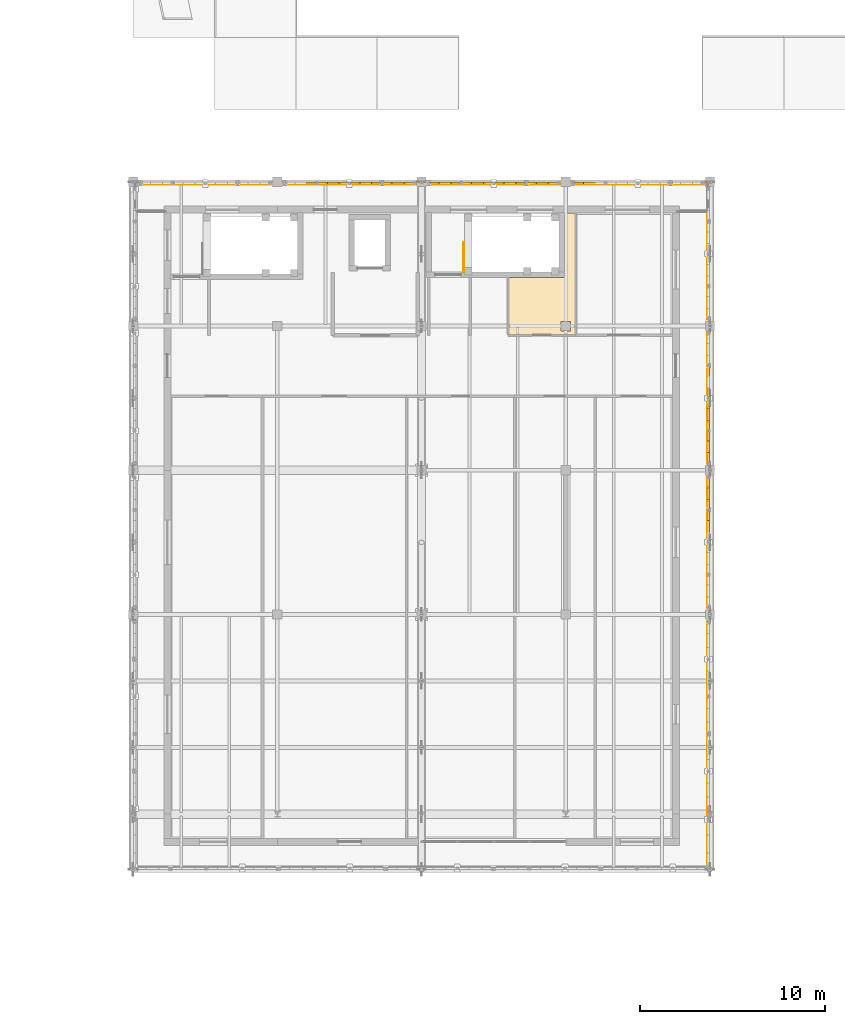
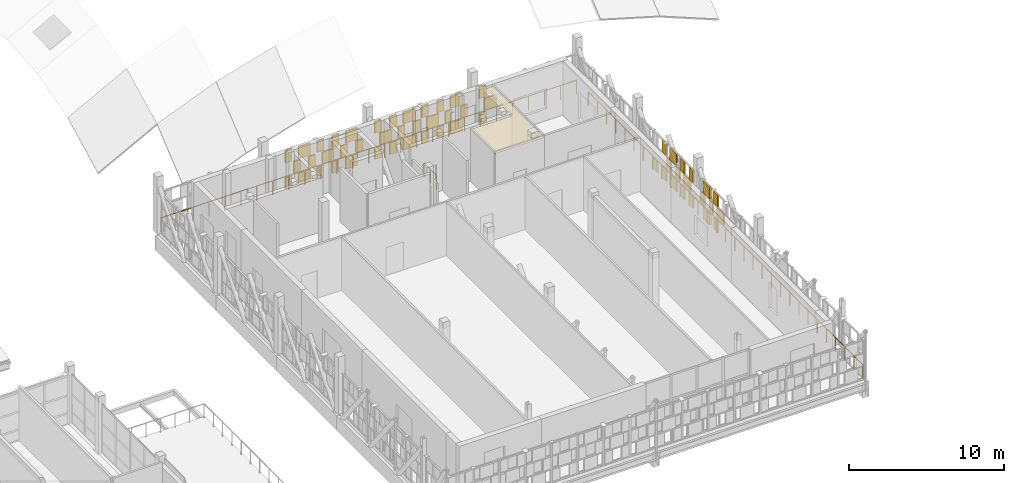
# One storey, part 80 of 89: 56 coverings, 3 railings.
"""IFC4 building model written with IfcOpenShell, lengths in metres."""

from ifc_helpers import new_model, si_unit, direction, frame, origin, origin_2d, place, context, subcontext, project, spatial, polyline, rectangle, circle, outline, extrude, material, layer, layer_set, type_object, element, save


model = new_model("IFC4")

# Units and contexts
model_context = context("Model", 3, precision=1e-05, world=origin(), true_north=direction((0.0, 1.0)))
body_context = subcontext(model_context, "Body", "Model", "MODEL_VIEW")
ifc_project = project(units=[si_unit("LENGTHUNIT", "METRE"), si_unit("AREAUNIT", "SQUARE_METRE"), si_unit("VOLUMEUNIT", "CUBIC_METRE"), si_unit("PLANEANGLEUNIT", "RADIAN"), si_unit("MASSUNIT", "GRAM", prefix="KILO")], contexts=[model_context])

# Site, building, storey
site_placement = place(None, origin())
site = spatial("IfcSite", under=ifc_project, at=site_placement, CompositionType="ELEMENT")
building_placement = place(site_placement, origin())
building = spatial("IfcBuilding", under=site, at=building_placement, Name="Celorna Specialist Clinic", CompositionType="ELEMENT")
storey_placement = place(building_placement, frame((0.0, 0.0, 14.10009765625)))
storey = spatial("IfcBuildingStorey", under=building, at=storey_placement, Name="L03", CompositionType="ELEMENT", Elevation=14.10009765625)

# Railings
ifc_material_1 = material(Name="Stainless steel and laminated glass balustrade", Category="steel")
railing_type_1 = type_object("IfcRailingType", Name="BL-01", PredefinedType="BALUSTRADE", material=ifc_material_1)
railing_1_placement = place(storey_placement, frame((85.679931640625, 41.280029296875, 0.0)))
element("IfcRailing", 1, at=railing_1_placement, inside=storey, type_object=railing_type_1, Name="Research Wing Cantilever Veranda L03 perimeter balustrade 7", PredefinedType="BALUSTRADE", context=body_context, shape_type="SweptSolid", body=[
    extrude(circle(Radius=0.02392578125, at=origin_2d()), frame((0.0, 0.0, 1.09619140625), z_axis=(0.0, -1.0, 0.0), x_axis=(1.0, 0.0, 0.0)), (0.0, 0.0, 1.0), 35.4599609375),
    extrude(circle(Radius=0.02099609375, at=origin_2d()), origin(), (0.0, 0.0, 1.0), 1.072021484375),
    extrude(circle(Radius=0.02099609375, at=origin_2d()), frame((0.0, -1.181884765625, 0.0)), (0.0, 0.0, 1.0), 1.072021484375),
    extrude(circle(Radius=0.02099609375, at=origin_2d()), frame((0.0, -2.364013671875, 0.0)), (0.0, 0.0, 1.0), 1.072021484375),
    extrude(circle(Radius=0.02099609375, at=origin_2d()), frame((0.0, -3.5458984375, 0.0)), (0.0, 0.0, 1.0), 1.072021484375),
    extrude(circle(Radius=0.02099609375, at=origin_2d()), frame((0.0, -4.72802734375, 0.0)), (0.0, 0.0, 1.0), 1.072021484375),
    extrude(circle(Radius=0.02099609375, at=origin_2d()), frame((0.0, -5.909912109375, 0.0)), (0.0, 0.0, 1.0), 1.072021484375),
    extrude(circle(Radius=0.02099609375, at=origin_2d()), frame((0.0, -7.092041015625, 0.0)), (0.0, 0.0, 1.0), 1.072021484375),
    extrude(circle(Radius=0.02099609375, at=origin_2d()), frame((0.0, -8.27392578125, 0.0)), (0.0, 0.0, 1.0), 1.072021484375),
    extrude(circle(Radius=0.02099609375, at=origin_2d()), frame((0.0, -9.4560546875, 0.0)), (0.0, 0.0, 1.0), 1.072021484375),
    extrude(circle(Radius=0.02099609375, at=origin_2d()), frame((0.0, -10.637939453125, 0.0)), (0.0, 0.0, 1.0), 1.072021484375),
    extrude(circle(Radius=0.02099609375, at=origin_2d()), frame((0.0, -11.820068359375, 0.0)), (0.0, 0.0, 1.0), 1.072021484375),
    extrude(circle(Radius=0.02099609375, at=origin_2d()), frame((0.0, -13.001953125, 0.0)), (0.0, 0.0, 1.0), 1.072021484375),
    extrude(circle(Radius=0.02099609375, at=origin_2d()), frame((0.0, -14.18408203125, 0.0)), (0.0, 0.0, 1.0), 1.072021484375),
    extrude(circle(Radius=0.02099609375, at=origin_2d()), frame((0.0, -15.365966796875, 0.0)), (0.0, 0.0, 1.0), 1.072021484375),
    extrude(circle(Radius=0.02099609375, at=origin_2d()), frame((0.0, -16.548095703125, 0.0)), (0.0, 0.0, 1.0), 1.072021484375),
    extrude(circle(Radius=0.02099609375, at=origin_2d()), frame((0.0, -17.72998046875, 0.0)), (0.0, 0.0, 1.0), 1.072021484375),
    extrude(circle(Radius=0.02099609375, at=origin_2d()), frame((0.0, -18.911865234375, 0.0)), (0.0, 0.0, 1.0), 1.072021484375),
    extrude(circle(Radius=0.02099609375, at=origin_2d()), frame((0.0, -20.093994140625, 0.0)), (0.0, 0.0, 1.0), 1.072021484375),
    extrude(circle(Radius=0.02099609375, at=origin_2d()), frame((0.0, -21.27587890625, 0.0)), (0.0, 0.0, 1.0), 1.072021484375),
    extrude(circle(Radius=0.02099609375, at=origin_2d()), frame((0.0, -22.4580078125, 0.0)), (0.0, 0.0, 1.0), 1.072021484375),
    extrude(circle(Radius=0.02099609375, at=origin_2d()), frame((0.0, -23.639892578125, 0.0)), (0.0, 0.0, 1.0), 1.072021484375),
    extrude(circle(Radius=0.02099609375, at=origin_2d()), frame((0.0, -24.822021484375, 0.0)), (0.0, 0.0, 1.0), 1.072021484375),
    extrude(circle(Radius=0.02099609375, at=origin_2d()), frame((0.0, -26.00390625, 0.0)), (0.0, 0.0, 1.0), 1.072021484375),
    extrude(circle(Radius=0.02099609375, at=origin_2d()), frame((0.0, -27.18603515625, 0.0)), (0.0, 0.0, 1.0), 1.072021484375),
    extrude(circle(Radius=0.02099609375, at=origin_2d()), frame((0.0, -28.367919921875, 0.0)), (0.0, 0.0, 1.0), 1.072021484375),
    extrude(circle(Radius=0.02099609375, at=origin_2d()), frame((0.0, -29.550048828125, 0.0)), (0.0, 0.0, 1.0), 1.072021484375),
    extrude(circle(Radius=0.02099609375, at=origin_2d()), frame((0.0, -30.73193359375, 0.0)), (0.0, 0.0, 1.0), 1.072021484375),
    extrude(circle(Radius=0.02099609375, at=origin_2d()), frame((0.0, -31.9140625, 0.0)), (0.0, 0.0, 1.0), 1.072021484375),
    extrude(circle(Radius=0.02099609375, at=origin_2d()), frame((0.0, -33.095947265625, 0.0)), (0.0, 0.0, 1.0), 1.072021484375),
    extrude(circle(Radius=0.02099609375, at=origin_2d()), frame((0.0, -34.278076171875, 0.0)), (0.0, 0.0, 1.0), 1.072021484375),
    extrude(circle(Radius=0.02099609375, at=origin_2d()), frame((0.0, -35.4599609375, 0.0)), (0.0, 0.0, 1.0), 1.072021484375),
])
railing_2_placement = place(storey_placement, frame((54.719970703125, 42.780029296875, 0.0)))
element("IfcRailing", 2, at=railing_2_placement, inside=storey, type_object=railing_type_1, Name="Research Wing North Court Veranda L03 perimeter balustrade 2", PredefinedType="BALUSTRADE", context=body_context, shape_type="SweptSolid", body=[
    extrude(circle(Radius=0.02392578125, at=origin_2d()), frame((0.0, 0.0, 1.09619140625), z_axis=(1.0, 0.0, 0.0), x_axis=(0.0, 1.0, 0.0)), (0.0, 0.0, 1.0), 30.9599609375),
    extrude(circle(Radius=0.02099609375, at=origin_2d()), origin(), (0.0, 0.0, 1.0), 1.072021484375),
    extrude(circle(Radius=0.02099609375, at=origin_2d()), frame((1.190673828125, 0.0, 0.0)), (0.0, 0.0, 1.0), 1.072021484375),
    extrude(circle(Radius=0.02099609375, at=origin_2d()), frame((2.381591796875, 0.0, 0.0)), (0.0, 0.0, 1.0), 1.072021484375),
    extrude(circle(Radius=0.02099609375, at=origin_2d()), frame((3.572265625, 0.0, 0.0)), (0.0, 0.0, 1.0), 1.072021484375),
    extrude(circle(Radius=0.02099609375, at=origin_2d()), frame((4.76318359375, 0.0, 0.0)), (0.0, 0.0, 1.0), 1.072021484375),
    extrude(circle(Radius=0.02099609375, at=origin_2d()), frame((5.953857421875, 0.0, 0.0)), (0.0, 0.0, 1.0), 1.072021484375),
    extrude(circle(Radius=0.02099609375, at=origin_2d()), frame((7.14453125, 0.0, 0.0)), (0.0, 0.0, 1.0), 1.072021484375),
    extrude(circle(Radius=0.02099609375, at=origin_2d()), frame((8.33544921875, 0.0, 0.0)), (0.0, 0.0, 1.0), 1.072021484375),
    extrude(circle(Radius=0.02099609375, at=origin_2d()), frame((9.526123046875, 0.0, 0.0)), (0.0, 0.0, 1.0), 1.072021484375),
    extrude(circle(Radius=0.02099609375, at=origin_2d()), frame((10.716796875, 0.0, 0.0)), (0.0, 0.0, 1.0), 1.072021484375),
    extrude(circle(Radius=0.02099609375, at=origin_2d()), frame((11.90771484375, 0.0, 0.0)), (0.0, 0.0, 1.0), 1.072021484375),
    extrude(circle(Radius=0.02099609375, at=origin_2d()), frame((13.098388671875, 0.0, 0.0)), (0.0, 0.0, 1.0), 1.072021484375),
    extrude(circle(Radius=0.02099609375, at=origin_2d()), frame((14.289306640625, 0.0, 0.0)), (0.0, 0.0, 1.0), 1.072021484375),
    extrude(circle(Radius=0.02099609375, at=origin_2d()), frame((15.47998046875, 0.0, 0.0)), (0.0, 0.0, 1.0), 1.072021484375),
    extrude(circle(Radius=0.02099609375, at=origin_2d()), frame((16.670654296875, 0.0, 0.0)), (0.0, 0.0, 1.0), 1.072021484375),
    extrude(circle(Radius=0.02099609375, at=origin_2d()), frame((17.861572265625, 0.0, 0.0)), (0.0, 0.0, 1.0), 1.072021484375),
    extrude(circle(Radius=0.02099609375, at=origin_2d()), frame((19.05224609375, 0.0, 0.0)), (0.0, 0.0, 1.0), 1.072021484375),
    extrude(circle(Radius=0.02099609375, at=origin_2d()), frame((20.2431640625, 0.0, 0.0)), (0.0, 0.0, 1.0), 1.072021484375),
    extrude(circle(Radius=0.02099609375, at=origin_2d()), frame((21.433837890625, 0.0, 0.0)), (0.0, 0.0, 1.0), 1.072021484375),
    extrude(circle(Radius=0.02099609375, at=origin_2d()), frame((22.62451171875, 0.0, 0.0)), (0.0, 0.0, 1.0), 1.072021484375),
    extrude(circle(Radius=0.02099609375, at=origin_2d()), frame((23.8154296875, 0.0, 0.0)), (0.0, 0.0, 1.0), 1.072021484375),
    extrude(circle(Radius=0.02099609375, at=origin_2d()), frame((25.006103515625, 0.0, 0.0)), (0.0, 0.0, 1.0), 1.072021484375),
    extrude(circle(Radius=0.02099609375, at=origin_2d()), frame((26.19677734375, 0.0, 0.0)), (0.0, 0.0, 1.0), 1.072021484375),
    extrude(circle(Radius=0.02099609375, at=origin_2d()), frame((27.3876953125, 0.0, 0.0)), (0.0, 0.0, 1.0), 1.072021484375),
    extrude(circle(Radius=0.02099609375, at=origin_2d()), frame((28.578369140625, 0.0, 0.0)), (0.0, 0.0, 1.0), 1.072021484375),
    extrude(circle(Radius=0.02099609375, at=origin_2d()), frame((29.769287109375, 0.0, 0.0)), (0.0, 0.0, 1.0), 1.072021484375),
    extrude(circle(Radius=0.02099609375, at=origin_2d()), frame((30.9599609375, 0.0, 0.0)), (0.0, 0.0, 1.0), 1.072021484375),
])

# Coverings
ifc_material_2 = material(Name="Hygienic acoustic mineral-fibre ceiling")
ifc_layer_1 = layer(ifc_material_2, 0.030029296875, Name="Hygienic acoustic mineral-fibre ceiling")
ifc_layer_set_1 = layer_set([ifc_layer_1], Name="Hygienic acoustic mineral-fibre ceiling")
covering_type_1 = type_object("IfcCoveringType", Name="CE-01", PredefinedType="CEILING", material=ifc_layer_set_1)
covering_1_placement = place(storey_placement, frame((0.0, 0.0, 4.02978515625)))
element("IfcCovering", 3, at=covering_1_placement, inside=storey, type_object=covering_type_1, Name="Acoustic ceiling L03-059", PredefinedType="CEILING", context=body_context, shape_type="SweptSolid", body=[
    extrude(outline(polyline([(74.875, 34.5849609375), (74.875, 37.735107421875), (77.925048828125, 37.735107421875), (77.925048828125, 41.22509765625), (78.554931640625, 41.22509765625), (78.554931640625, 34.5849609375), (74.875, 34.5849609375)]), holes=[polyline([(77.7451171875, 35.35498046875), (77.7451171875, 34.844970703125), (78.2548828125, 34.844970703125), (78.2548828125, 35.35498046875), (77.7451171875, 35.35498046875)])]), origin(), (0.0, 0.0, 1.0), 0.030029296875),
])
ifc_material_3 = material(Name="Perforated terracotta brick weave cladding", Category="masonry")
ifc_layer_2 = layer(ifc_material_3, 0.114990234375, Name="Perforated terracotta brick weave cladding")
ifc_layer_set_2 = layer_set([ifc_layer_2], Name="Perforated terracotta brick weave cladding")
covering_type_2 = type_object("IfcCoveringType", Name="CL-02", PredefinedType="CLADDING", material=ifc_layer_set_2)
covering_2_placement = place(storey_placement, frame((85.72998046875, 24.845703125, 0.099853515625), z_axis=(0.0, 0.0, 1.0), x_axis=(0.0, 1.0, 0.0)))
element("IfcCovering", 4, at=covering_2_placement, inside=storey, type_object=covering_type_2, Name="Woven perforated terracotta brick course #429", PredefinedType="CLADDING", context=body_context, shape_type="SweptSolid", body=[
    extrude(rectangle(XDim=0.498779296875, YDim=0.114990234375, at=origin_2d()), origin(), (0.0, 0.0, 1.0), 0.9267578125),
])
covering_3_placement = place(storey_placement, frame((85.72998046875, 24.277587890625, 1.12646484375), z_axis=(0.0, 0.0, 1.0), x_axis=(0.0, 1.0, 0.0)))
element("IfcCovering", 5, at=covering_3_placement, inside=storey, type_object=covering_type_2, Name="Woven perforated terracotta brick course #430", PredefinedType="CLADDING", context=body_context, shape_type="SweptSolid", body=[
    extrude(rectangle(XDim=0.8828125, YDim=0.114990234375, at=origin_2d()), origin(), (0.0, 0.0, 1.0), 0.926513671875),
])
covering_4_placement = place(storey_placement, frame((85.72998046875, 24.845703125, 2.1533203125), z_axis=(0.0, 0.0, 1.0), x_axis=(0.0, 1.0, 0.0)))
element("IfcCovering", 6, at=covering_4_placement, inside=storey, type_object=covering_type_2, Name="Woven perforated terracotta brick course #432", PredefinedType="CLADDING", context=body_context, shape_type="SweptSolid", body=[
    extrude(rectangle(XDim=0.498779296875, YDim=0.114990234375, at=origin_2d()), origin(), (0.0, 0.0, 1.0), 0.9267578125),
])
covering_5_placement = place(storey_placement, frame((85.72998046875, 26.032470703125, 0.099853515625), z_axis=(0.0, 0.0, 1.0), x_axis=(0.0, 1.0, 0.0)))
element("IfcCovering", 7, at=covering_5_placement, inside=storey, type_object=covering_type_2, Name="Woven perforated terracotta brick course #433", PredefinedType="CLADDING", context=body_context, shape_type="SweptSolid", body=[
    extrude(rectangle(XDim=0.8828125, YDim=0.114990234375, at=origin_2d()), origin(), (0.0, 0.0, 1.0), 0.9267578125),
])
for number, where, z_axis, x_axis, name in (
    (8, (85.72998046875, 25.46435546875, 1.12646484375), (0.0, 0.0, 1.0), (0.0, 1.0, 0.0), "Woven perforated terracotta brick course #434"),
    (9, (85.72998046875, 26.6005859375, 1.12646484375), (0.0, 0.0, 1.0), (0.0, 1.0, 0.0), "Woven perforated terracotta brick course #435"),
):
    element("IfcCovering", number, at=place(storey_placement, frame(where, z_axis=z_axis, x_axis=x_axis)), inside=storey, type_object=covering_type_2, Name=name, PredefinedType="CLADDING", context=body_context, shape_type="SweptSolid", body=[
        extrude(rectangle(XDim=0.498779296875, YDim=0.114990234375, at=origin_2d()), origin(), (0.0, 0.0, 1.0), 0.926513671875),
    ])
covering_6_placement = place(storey_placement, frame((85.72998046875, 26.032470703125, 2.1533203125), z_axis=(0.0, 0.0, 1.0), x_axis=(0.0, 1.0, 0.0)))
element("IfcCovering", 10, at=covering_6_placement, inside=storey, type_object=covering_type_2, Name="Woven perforated terracotta brick course #436", PredefinedType="CLADDING", context=body_context, shape_type="SweptSolid", body=[
    extrude(rectangle(XDim=0.8828125, YDim=0.114990234375, at=origin_2d()), origin(), (0.0, 0.0, 1.0), 0.9267578125),
])
for number, where, z_axis, x_axis, name in (
    (11, (85.72998046875, 27.999267578125, 0.099853515625), (0.0, 0.0, 1.0), (0.0, 1.0, 0.0), "Woven perforated terracotta brick course #437"),
    (12, (85.72998046875, 29.1357421875, 0.099853515625), (0.0, 0.0, 1.0), (0.0, 1.0, 0.0), "Woven perforated terracotta brick course #438"),
):
    element("IfcCovering", number, at=place(storey_placement, frame(where, z_axis=z_axis, x_axis=x_axis)), inside=storey, type_object=covering_type_2, Name=name, PredefinedType="CLADDING", context=body_context, shape_type="SweptSolid", body=[
        extrude(rectangle(XDim=0.498779296875, YDim=0.114990234375, at=origin_2d()), origin(), (0.0, 0.0, 1.0), 0.9267578125),
    ])
covering_7_placement = place(storey_placement, frame((85.72998046875, 28.5673828125, 1.12646484375), z_axis=(0.0, 0.0, 1.0), x_axis=(0.0, 1.0, 0.0)))
element("IfcCovering", 13, at=covering_7_placement, inside=storey, type_object=covering_type_2, Name="Woven perforated terracotta brick course #439", PredefinedType="CLADDING", context=body_context, shape_type="SweptSolid", body=[
    extrude(rectangle(XDim=0.8828125, YDim=0.114990234375, at=origin_2d()), origin(), (0.0, 0.0, 1.0), 0.926513671875),
])
for number, where, z_axis, x_axis, name in (
    (14, (85.72998046875, 27.999267578125, 2.1533203125), (0.0, 0.0, 1.0), (0.0, 1.0, 0.0), "Woven perforated terracotta brick course #440"),
    (15, (85.72998046875, 29.1357421875, 2.1533203125), (0.0, 0.0, 1.0), (0.0, 1.0, 0.0), "Woven perforated terracotta brick course #441"),
):
    element("IfcCovering", number, at=place(storey_placement, frame(where, z_axis=z_axis, x_axis=x_axis)), inside=storey, type_object=covering_type_2, Name=name, PredefinedType="CLADDING", context=body_context, shape_type="SweptSolid", body=[
        extrude(rectangle(XDim=0.498779296875, YDim=0.114990234375, at=origin_2d()), origin(), (0.0, 0.0, 1.0), 0.9267578125),
    ])
covering_8_placement = place(storey_placement, frame((85.72998046875, 30.322509765625, 0.099853515625), z_axis=(0.0, 0.0, 1.0), x_axis=(0.0, 1.0, 0.0)))
element("IfcCovering", 16, at=covering_8_placement, inside=storey, type_object=covering_type_2, Name="Woven perforated terracotta brick course #442", PredefinedType="CLADDING", context=body_context, shape_type="SweptSolid", body=[
    extrude(rectangle(XDim=0.8828125, YDim=0.114990234375, at=origin_2d()), origin(), (0.0, 0.0, 1.0), 0.9267578125),
])
for number, where, z_axis, x_axis, name in (
    (17, (85.72998046875, 29.75439453125, 1.12646484375), (0.0, 0.0, 1.0), (0.0, 1.0, 0.0), "Woven perforated terracotta brick course #443"),
    (18, (85.72998046875, 30.890625, 1.12646484375), (0.0, 0.0, 1.0), (0.0, 1.0, 0.0), "Woven perforated terracotta brick course #444"),
):
    element("IfcCovering", number, at=place(storey_placement, frame(where, z_axis=z_axis, x_axis=x_axis)), inside=storey, type_object=covering_type_2, Name=name, PredefinedType="CLADDING", context=body_context, shape_type="SweptSolid", body=[
        extrude(rectangle(XDim=0.498779296875, YDim=0.114990234375, at=origin_2d()), origin(), (0.0, 0.0, 1.0), 0.926513671875),
    ])
covering_9_placement = place(storey_placement, frame((85.72998046875, 30.322509765625, 2.1533203125), z_axis=(0.0, 0.0, 1.0), x_axis=(0.0, 1.0, 0.0)))
element("IfcCovering", 19, at=covering_9_placement, inside=storey, type_object=covering_type_2, Name="Woven perforated terracotta brick course #445", PredefinedType="CLADDING", context=body_context, shape_type="SweptSolid", body=[
    extrude(rectangle(XDim=0.8828125, YDim=0.114990234375, at=origin_2d()), origin(), (0.0, 0.0, 1.0), 0.9267578125),
])
for number, where, z_axis, x_axis, name in (
    (20, (85.72998046875, 31.509521484375, 0.099853515625), (0.0, 0.0, 1.0), (0.0, 1.0, 0.0), "Woven perforated terracotta brick course #446"),
    (21, (85.72998046875, 32.645751953125, 0.099853515625), (0.0, 0.0, 1.0), (0.0, 1.0, 0.0), "Woven perforated terracotta brick course #447"),
    (22, (85.72998046875, 31.509521484375, 2.1533203125), (0.0, 0.0, 1.0), (0.0, 1.0, 0.0), "Woven perforated terracotta brick course #449"),
    (23, (64.235595703125, 42.830078125, 0.099853515625), (0.0, 0.0, 1.0), (1.0, 0.0, 0.0), "Woven perforated terracotta brick course #564"),
    (24, (64.235595703125, 42.830078125, 2.1533203125), (0.0, 0.0, 1.0), (1.0, 0.0, 0.0), "Woven perforated terracotta brick course #567"),
):
    element("IfcCovering", number, at=place(storey_placement, frame(where, z_axis=z_axis, x_axis=x_axis)), inside=storey, type_object=covering_type_2, Name=name, PredefinedType="CLADDING", context=body_context, shape_type="SweptSolid", body=[
        extrude(rectangle(XDim=0.498779296875, YDim=0.114990234375, at=origin_2d()), origin(), (0.0, 0.0, 1.0), 0.9267578125),
    ])
covering_10_placement = place(storey_placement, frame((65.422607421875, 42.830078125, 0.099853515625), z_axis=(0.0, 0.0, 1.0), x_axis=(1.0, 0.0, 0.0)))
element("IfcCovering", 25, at=covering_10_placement, inside=storey, type_object=covering_type_2, Name="Woven perforated terracotta brick course #568", PredefinedType="CLADDING", context=body_context, shape_type="SweptSolid", body=[
    extrude(rectangle(XDim=0.8828125, YDim=0.114990234375, at=origin_2d()), origin(), (0.0, 0.0, 1.0), 0.9267578125),
])
for number, where, z_axis, x_axis, name in (
    (26, (64.854248046875, 42.830078125, 1.12646484375), (0.0, 0.0, 1.0), (1.0, 0.0, 0.0), "Woven perforated terracotta brick course #569"),
    (27, (65.99072265625, 42.830078125, 1.12646484375), (0.0, 0.0, 1.0), (1.0, 0.0, 0.0), "Woven perforated terracotta brick course #570"),
):
    element("IfcCovering", number, at=place(storey_placement, frame(where, z_axis=z_axis, x_axis=x_axis)), inside=storey, type_object=covering_type_2, Name=name, PredefinedType="CLADDING", context=body_context, shape_type="SweptSolid", body=[
        extrude(rectangle(XDim=0.498779296875, YDim=0.114990234375, at=origin_2d()), origin(), (0.0, 0.0, 1.0), 0.926513671875),
    ])
covering_11_placement = place(storey_placement, frame((65.422607421875, 42.830078125, 2.1533203125), z_axis=(0.0, 0.0, 1.0), x_axis=(1.0, 0.0, 0.0)))
element("IfcCovering", 28, at=covering_11_placement, inside=storey, type_object=covering_type_2, Name="Woven perforated terracotta brick course #571", PredefinedType="CLADDING", context=body_context, shape_type="SweptSolid", body=[
    extrude(rectangle(XDim=0.8828125, YDim=0.114990234375, at=origin_2d()), origin(), (0.0, 0.0, 1.0), 0.9267578125),
])
for number, where, z_axis, x_axis, name in (
    (29, (66.609375, 42.830078125, 0.099853515625), (0.0, 0.0, 1.0), (1.0, 0.0, 0.0), "Woven perforated terracotta brick course #572"),
    (30, (67.74560546875, 42.830078125, 0.099853515625), (0.0, 0.0, 1.0), (1.0, 0.0, 0.0), "Woven perforated terracotta brick course #573"),
):
    element("IfcCovering", number, at=place(storey_placement, frame(where, z_axis=z_axis, x_axis=x_axis)), inside=storey, type_object=covering_type_2, Name=name, PredefinedType="CLADDING", context=body_context, shape_type="SweptSolid", body=[
        extrude(rectangle(XDim=0.498779296875, YDim=0.114990234375, at=origin_2d()), origin(), (0.0, 0.0, 1.0), 0.9267578125),
    ])
covering_12_placement = place(storey_placement, frame((67.177490234375, 42.830078125, 1.12646484375), z_axis=(0.0, 0.0, 1.0), x_axis=(1.0, 0.0, 0.0)))
element("IfcCovering", 31, at=covering_12_placement, inside=storey, type_object=covering_type_2, Name="Woven perforated terracotta brick course #574", PredefinedType="CLADDING", context=body_context, shape_type="SweptSolid", body=[
    extrude(rectangle(XDim=0.8828125, YDim=0.114990234375, at=origin_2d()), origin(), (0.0, 0.0, 1.0), 0.926513671875),
])
for number, where, z_axis, x_axis, name in (
    (32, (66.609375, 42.830078125, 2.1533203125), (0.0, 0.0, 1.0), (1.0, 0.0, 0.0), "Woven perforated terracotta brick course #575"),
    (33, (67.74560546875, 42.830078125, 2.1533203125), (0.0, 0.0, 1.0), (1.0, 0.0, 0.0), "Woven perforated terracotta brick course #576"),
):
    element("IfcCovering", number, at=place(storey_placement, frame(where, z_axis=z_axis, x_axis=x_axis)), inside=storey, type_object=covering_type_2, Name=name, PredefinedType="CLADDING", context=body_context, shape_type="SweptSolid", body=[
        extrude(rectangle(XDim=0.498779296875, YDim=0.114990234375, at=origin_2d()), origin(), (0.0, 0.0, 1.0), 0.9267578125),
    ])
covering_13_placement = place(storey_placement, frame((68.9326171875, 42.830078125, 0.099853515625), z_axis=(0.0, 0.0, 1.0), x_axis=(1.0, 0.0, 0.0)))
element("IfcCovering", 34, at=covering_13_placement, inside=storey, type_object=covering_type_2, Name="Woven perforated terracotta brick course #577", PredefinedType="CLADDING", context=body_context, shape_type="SweptSolid", body=[
    extrude(rectangle(XDim=0.8828125, YDim=0.114990234375, at=origin_2d()), origin(), (0.0, 0.0, 1.0), 0.9267578125),
])
for number, where, z_axis, x_axis, name in (
    (35, (68.364501953125, 42.830078125, 1.12646484375), (0.0, 0.0, 1.0), (1.0, 0.0, 0.0), "Woven perforated terracotta brick course #578"),
    (36, (69.500732421875, 42.830078125, 1.12646484375), (0.0, 0.0, 1.0), (1.0, 0.0, 0.0), "Woven perforated terracotta brick course #579"),
):
    element("IfcCovering", number, at=place(storey_placement, frame(where, z_axis=z_axis, x_axis=x_axis)), inside=storey, type_object=covering_type_2, Name=name, PredefinedType="CLADDING", context=body_context, shape_type="SweptSolid", body=[
        extrude(rectangle(XDim=0.498779296875, YDim=0.114990234375, at=origin_2d()), origin(), (0.0, 0.0, 1.0), 0.926513671875),
    ])
covering_14_placement = place(storey_placement, frame((68.9326171875, 42.830078125, 2.1533203125), z_axis=(0.0, 0.0, 1.0), x_axis=(1.0, 0.0, 0.0)))
element("IfcCovering", 37, at=covering_14_placement, inside=storey, type_object=covering_type_2, Name="Woven perforated terracotta brick course #580", PredefinedType="CLADDING", context=body_context, shape_type="SweptSolid", body=[
    extrude(rectangle(XDim=0.8828125, YDim=0.114990234375, at=origin_2d()), origin(), (0.0, 0.0, 1.0), 0.9267578125),
])
for number, where, z_axis, x_axis, name in (
    (38, (70.8994140625, 42.830078125, 0.099853515625), (0.0, 0.0, 1.0), (1.0, 0.0, 0.0), "Woven perforated terracotta brick course #581"),
    (39, (72.03564453125, 42.830078125, 0.099853515625), (0.0, 0.0, 1.0), (1.0, 0.0, 0.0), "Woven perforated terracotta brick course #582"),
):
    element("IfcCovering", number, at=place(storey_placement, frame(where, z_axis=z_axis, x_axis=x_axis)), inside=storey, type_object=covering_type_2, Name=name, PredefinedType="CLADDING", context=body_context, shape_type="SweptSolid", body=[
        extrude(rectangle(XDim=0.498779296875, YDim=0.114990234375, at=origin_2d()), origin(), (0.0, 0.0, 1.0), 0.9267578125),
    ])
covering_15_placement = place(storey_placement, frame((71.467529296875, 42.830078125, 1.12646484375), z_axis=(0.0, 0.0, 1.0), x_axis=(1.0, 0.0, 0.0)))
element("IfcCovering", 40, at=covering_15_placement, inside=storey, type_object=covering_type_2, Name="Woven perforated terracotta brick course #583", PredefinedType="CLADDING", context=body_context, shape_type="SweptSolid", body=[
    extrude(rectangle(XDim=0.8828125, YDim=0.114990234375, at=origin_2d()), origin(), (0.0, 0.0, 1.0), 0.926513671875),
])
for number, where, z_axis, x_axis, name in (
    (41, (70.8994140625, 42.830078125, 2.1533203125), (0.0, 0.0, 1.0), (1.0, 0.0, 0.0), "Woven perforated terracotta brick course #584"),
    (42, (72.03564453125, 42.830078125, 2.1533203125), (0.0, 0.0, 1.0), (1.0, 0.0, 0.0), "Woven perforated terracotta brick course #585"),
):
    element("IfcCovering", number, at=place(storey_placement, frame(where, z_axis=z_axis, x_axis=x_axis)), inside=storey, type_object=covering_type_2, Name=name, PredefinedType="CLADDING", context=body_context, shape_type="SweptSolid", body=[
        extrude(rectangle(XDim=0.498779296875, YDim=0.114990234375, at=origin_2d()), origin(), (0.0, 0.0, 1.0), 0.9267578125),
    ])
covering_16_placement = place(storey_placement, frame((73.222412109375, 42.830078125, 0.099853515625), z_axis=(0.0, 0.0, 1.0), x_axis=(1.0, 0.0, 0.0)))
element("IfcCovering", 43, at=covering_16_placement, inside=storey, type_object=covering_type_2, Name="Woven perforated terracotta brick course #586", PredefinedType="CLADDING", context=body_context, shape_type="SweptSolid", body=[
    extrude(rectangle(XDim=0.8828125, YDim=0.114990234375, at=origin_2d()), origin(), (0.0, 0.0, 1.0), 0.9267578125),
])
for number, where, z_axis, x_axis, name in (
    (44, (72.654296875, 42.830078125, 1.12646484375), (0.0, 0.0, 1.0), (1.0, 0.0, 0.0), "Woven perforated terracotta brick course #587"),
    (45, (73.79052734375, 42.830078125, 1.12646484375), (0.0, 0.0, 1.0), (1.0, 0.0, 0.0), "Woven perforated terracotta brick course #588"),
):
    element("IfcCovering", number, at=place(storey_placement, frame(where, z_axis=z_axis, x_axis=x_axis)), inside=storey, type_object=covering_type_2, Name=name, PredefinedType="CLADDING", context=body_context, shape_type="SweptSolid", body=[
        extrude(rectangle(XDim=0.498779296875, YDim=0.114990234375, at=origin_2d()), origin(), (0.0, 0.0, 1.0), 0.926513671875),
    ])
covering_17_placement = place(storey_placement, frame((73.222412109375, 42.830078125, 2.1533203125), z_axis=(0.0, 0.0, 1.0), x_axis=(1.0, 0.0, 0.0)))
element("IfcCovering", 46, at=covering_17_placement, inside=storey, type_object=covering_type_2, Name="Woven perforated terracotta brick course #589", PredefinedType="CLADDING", context=body_context, shape_type="SweptSolid", body=[
    extrude(rectangle(XDim=0.8828125, YDim=0.114990234375, at=origin_2d()), origin(), (0.0, 0.0, 1.0), 0.9267578125),
])
for number, where, z_axis, x_axis, name in (
    (47, (74.409423828125, 42.830078125, 0.099853515625), (0.0, 0.0, 1.0), (1.0, 0.0, 0.0), "Woven perforated terracotta brick course #590"),
    (48, (75.545654296875, 42.830078125, 0.099853515625), (0.0, 0.0, 1.0), (1.0, 0.0, 0.0), "Woven perforated terracotta brick course #591"),
):
    element("IfcCovering", number, at=place(storey_placement, frame(where, z_axis=z_axis, x_axis=x_axis)), inside=storey, type_object=covering_type_2, Name=name, PredefinedType="CLADDING", context=body_context, shape_type="SweptSolid", body=[
        extrude(rectangle(XDim=0.498779296875, YDim=0.114990234375, at=origin_2d()), origin(), (0.0, 0.0, 1.0), 0.9267578125),
    ])
covering_18_placement = place(storey_placement, frame((74.9775390625, 42.830078125, 1.12646484375), z_axis=(0.0, 0.0, 1.0), x_axis=(1.0, 0.0, 0.0)))
element("IfcCovering", 49, at=covering_18_placement, inside=storey, type_object=covering_type_2, Name="Woven perforated terracotta brick course #592", PredefinedType="CLADDING", context=body_context, shape_type="SweptSolid", body=[
    extrude(rectangle(XDim=0.8828125, YDim=0.114990234375, at=origin_2d()), origin(), (0.0, 0.0, 1.0), 0.926513671875),
])
for number, where, z_axis, x_axis, name in (
    (50, (74.409423828125, 42.830078125, 2.1533203125), (0.0, 0.0, 1.0), (1.0, 0.0, 0.0), "Woven perforated terracotta brick course #593"),
    (51, (75.545654296875, 42.830078125, 2.1533203125), (0.0, 0.0, 1.0), (1.0, 0.0, 0.0), "Woven perforated terracotta brick course #594"),
):
    element("IfcCovering", number, at=place(storey_placement, frame(where, z_axis=z_axis, x_axis=x_axis)), inside=storey, type_object=covering_type_2, Name=name, PredefinedType="CLADDING", context=body_context, shape_type="SweptSolid", body=[
        extrude(rectangle(XDim=0.498779296875, YDim=0.114990234375, at=origin_2d()), origin(), (0.0, 0.0, 1.0), 0.9267578125),
    ])
covering_19_placement = place(storey_placement, frame((76.732421875, 42.830078125, 0.099853515625), z_axis=(0.0, 0.0, 1.0), x_axis=(1.0, 0.0, 0.0)))
element("IfcCovering", 52, at=covering_19_placement, inside=storey, type_object=covering_type_2, Name="Woven perforated terracotta brick course #595", PredefinedType="CLADDING", context=body_context, shape_type="SweptSolid", body=[
    extrude(rectangle(XDim=0.8828125, YDim=0.114990234375, at=origin_2d()), origin(), (0.0, 0.0, 1.0), 0.9267578125),
])
for number, where, z_axis, x_axis, name in (
    (53, (76.164306640625, 42.830078125, 1.12646484375), (0.0, 0.0, 1.0), (1.0, 0.0, 0.0), "Woven perforated terracotta brick course #596"),
    (54, (77.30078125, 42.830078125, 1.12646484375), (0.0, 0.0, 1.0), (1.0, 0.0, 0.0), "Woven perforated terracotta brick course #597"),
):
    element("IfcCovering", number, at=place(storey_placement, frame(where, z_axis=z_axis, x_axis=x_axis)), inside=storey, type_object=covering_type_2, Name=name, PredefinedType="CLADDING", context=body_context, shape_type="SweptSolid", body=[
        extrude(rectangle(XDim=0.498779296875, YDim=0.114990234375, at=origin_2d()), origin(), (0.0, 0.0, 1.0), 0.926513671875),
    ])
covering_20_placement = place(storey_placement, frame((76.732421875, 42.830078125, 2.1533203125), z_axis=(0.0, 0.0, 1.0), x_axis=(1.0, 0.0, 0.0)))
element("IfcCovering", 55, at=covering_20_placement, inside=storey, type_object=covering_type_2, Name="Woven perforated terracotta brick course #598", PredefinedType="CLADDING", context=body_context, shape_type="SweptSolid", body=[
    extrude(rectangle(XDim=0.8828125, YDim=0.114990234375, at=origin_2d()), origin(), (0.0, 0.0, 1.0), 0.9267578125),
])
covering_21_placement = place(storey_placement, frame((78.69921875, 42.830078125, 0.099853515625), z_axis=(0.0, 0.0, 1.0), x_axis=(1.0, 0.0, 0.0)))
element("IfcCovering", 56, at=covering_21_placement, inside=storey, type_object=covering_type_2, Name="Woven perforated terracotta brick course #599", PredefinedType="CLADDING", context=body_context, shape_type="SweptSolid", body=[
    extrude(rectangle(XDim=0.498779296875, YDim=0.114990234375, at=origin_2d()), origin(), (0.0, 0.0, 1.0), 0.9267578125),
])
covering_22_placement = place(storey_placement, frame((79.267578125, 42.830078125, 1.12646484375), z_axis=(0.0, 0.0, 1.0), x_axis=(1.0, 0.0, 0.0)))
element("IfcCovering", 57, at=covering_22_placement, inside=storey, type_object=covering_type_2, Name="Woven perforated terracotta brick course #601", PredefinedType="CLADDING", context=body_context, shape_type="SweptSolid", body=[
    extrude(rectangle(XDim=0.8828125, YDim=0.114990234375, at=origin_2d()), origin(), (0.0, 0.0, 1.0), 0.926513671875),
])
covering_23_placement = place(storey_placement, frame((78.69921875, 42.830078125, 2.1533203125), z_axis=(0.0, 0.0, 1.0), x_axis=(1.0, 0.0, 0.0)))
element("IfcCovering", 58, at=covering_23_placement, inside=storey, type_object=covering_type_2, Name="Woven perforated terracotta brick course #602", PredefinedType="CLADDING", context=body_context, shape_type="SweptSolid", body=[
    extrude(rectangle(XDim=0.498779296875, YDim=0.114990234375, at=origin_2d()), origin(), (0.0, 0.0, 1.0), 0.9267578125),
])

# Railing
ifc_material_4 = material(Name="Powder-coated steel S355", Category="steel")
railing_type_2 = type_object("IfcRailingType", Name="GR-01", PredefinedType="GUARDRAIL", material=ifc_material_4)
railing_3_placement = place(storey_placement, frame((72.489990234375, 38.02001953125, 0.0)))
element("IfcRailing", 59, at=railing_3_placement, inside=storey, type_object=railing_type_2, Name="L03 ST-09 top well guard 1", PredefinedType="GUARDRAIL", context=body_context, shape_type="SweptSolid", body=[
    extrude(circle(Radius=0.02392578125, at=origin_2d()), frame((0.0, 0.0, 1.09619140625), z_axis=(0.0, 1.0, 0.0), x_axis=(-1.0, 0.0, 0.0)), (0.0, 0.0, 1.0), 1.60009765625),
    extrude(circle(Radius=0.02099609375, at=origin_2d()), origin(), (0.0, 0.0, 1.0), 1.072021484375),
    extrude(circle(Radius=0.02099609375, at=origin_2d()), frame((0.0, 0.800048828125, 0.0)), (0.0, 0.0, 1.0), 1.072021484375),
    extrude(circle(Radius=0.02099609375, at=origin_2d()), frame((0.0, 1.60009765625, 0.0)), (0.0, 0.0, 1.0), 1.072021484375),
])

save(model, "model.ifc")
